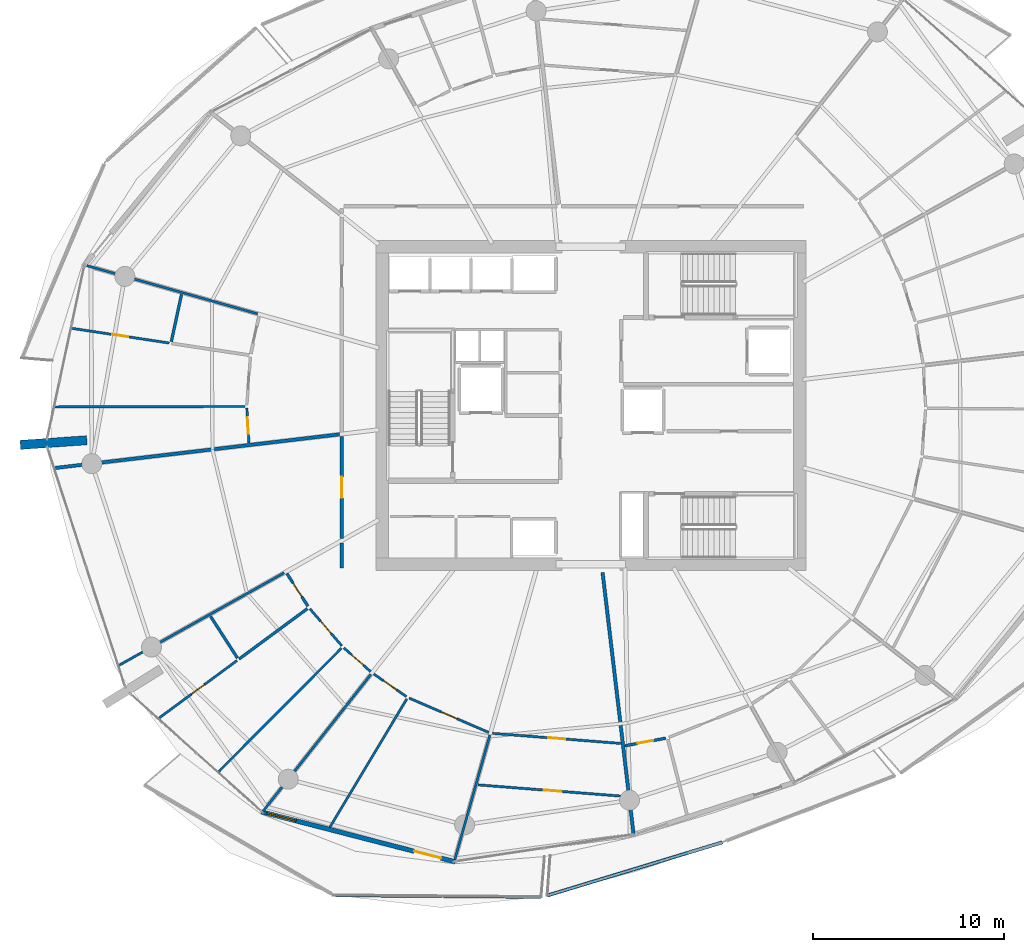
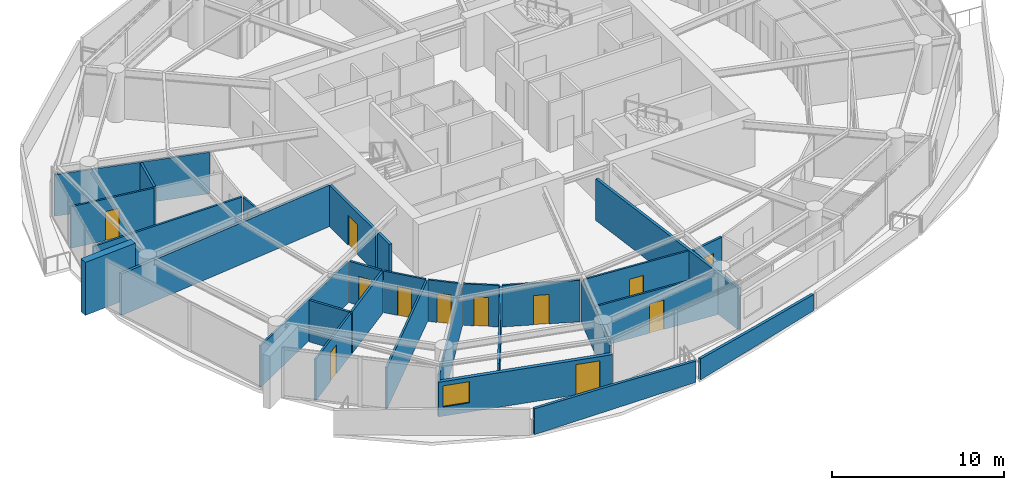
# One storey, part 11 of 20: 29 walls, 13 doors, 1 window, 14 openings.
"""IFC4 building model written with IfcOpenShell, lengths in metres."""

from ifc_helpers import new_model, si_unit, direction, frame, frame_2d, origin, place, context, subcontext, project, spatial, polyline, rectangle, outline, extrude, material, layer, layer_set, type_object, element, fill, save


model = new_model("IFC4")

# Units and contexts
model_context = context("Model", 3, precision=1e-05, world=origin(), true_north=direction((0.0, 1.0)))
body_context = subcontext(model_context, "Body", "Model", "MODEL_VIEW")
ifc_project = project(units=[si_unit("LENGTHUNIT", "METRE"), si_unit("AREAUNIT", "SQUARE_METRE"), si_unit("VOLUMEUNIT", "CUBIC_METRE"), si_unit("PLANEANGLEUNIT", "RADIAN"), si_unit("MASSUNIT", "GRAM", prefix="KILO")], contexts=[model_context])

# Site, building, storey
site_placement = place(None, origin())
site = spatial("IfcSite", under=ifc_project, at=site_placement, CompositionType="ELEMENT")
building_placement = place(site_placement, origin())
building = spatial("IfcBuilding", under=site, at=building_placement, Name="Kazma Halo Residences", CompositionType="ELEMENT")
storey_placement = place(building_placement, frame((0.0, 0.0, 210.300048828125)))
storey = spatial("IfcBuildingStorey", under=building, at=storey_placement, Name="L53", CompositionType="ELEMENT", Elevation=210.300048828125)

# Walls
ifc_material_1 = material(Name="White Concrete C50/60 Balustrade", Category="concrete")
ifc_layer_1 = layer(ifc_material_1, 0.179931640625)
ifc_layer_set_1 = layer_set([ifc_layer_1], Name="White Concrete C50/60 Balustrade")
wall_type_1 = type_object("IfcWallType", Name="WL-BAL-WAVE-180", PredefinedType="PARAPET", material=ifc_layer_set_1)
wall_1_placement = place(storey_placement, frame((35.03564453125, 16.319580078125, 0.0), z_axis=(0.0, 0.0, 1.0), x_axis=(0.999967670182, -0.008041056536, 0.0)))
element("IfcWall", 1, at=wall_1_placement, inside=storey, type_object=wall_type_1, Name="L53 white wave balustrade wall SW.2", PredefinedType="PARAPET", context=body_context, shape_type="SweptSolid", body=[
    extrude(outline(polyline([(0.0, 0.0), (10.7783203125, 0.0), (10.7783203125, 1.4970703125), (5.38916015625, 1.696044921875), (0.0, 1.83203125), (0.0, 0.0)])), frame((0.0, 0.08984375, 0.0), z_axis=(0.0, -1.0, 0.0), x_axis=(1.0, 0.0, 0.0)), (0.0, 0.0, 1.0), 0.179931640625),
])
wall_2_placement = place(storey_placement, frame((46.135009765625, 16.29833984375, 0.0), z_axis=(0.0, 0.0, 1.0), x_axis=(0.956822857871, 0.290671668135, 0.0)))
element("IfcWall", 2, at=wall_2_placement, inside=storey, type_object=wall_type_1, Name="L53 white wave balustrade wall SSE.1", PredefinedType="PARAPET", context=body_context, shape_type="SweptSolid", body=[
    extrude(outline(polyline([(0.0, 0.0), (9.59765625, 0.0), (9.59765625, 1.14794921875), (4.798828125, 1.283935546875), (0.0, 1.48291015625), (0.0, 0.0)])), frame((0.0, 0.08984375, 0.0), z_axis=(0.0, -1.0, 0.0), x_axis=(1.0, 0.0, 0.0)), (0.0, 0.0, 1.0), 0.179931640625),
])
ifc_material_2 = material(Name="Pale Concrete C60/75", Category="concrete")
ifc_layer_2 = layer(ifc_material_2, 0.47998046875)
ifc_layer_set_2 = layer_set([ifc_layer_2], Name="Pale Concrete C60/75")
wall_type_2 = type_object("IfcWallType", Name="WL-BLADE-480", PredefinedType="SOLIDWALL", material=ifc_layer_set_2)
wall_3_placement = place(storey_placement, frame((21.9873046875, 40.180908203125, 0.0), z_axis=(0.0, 0.0, 1.0), x_axis=(-0.997568676264, -0.069690287244, 0.0)))
element("IfcWall", 3, at=wall_3_placement, inside=storey, type_object=wall_type_2, Name="L53 pale concrete structural blade fin wall BW-02", PredefinedType="SOLIDWALL", context=body_context, shape_type="SweptSolid", body=[
    extrude(rectangle(XDim=3.499755859375, YDim=0.47998046875, at=frame_2d((1.75, 0.0))), origin(), (0.0, 0.0, 1.0), 3.75),
])
ifc_material_3 = material(Name="Acoustic Twin-Stud Gypsum")
ifc_layer_3 = layer(ifc_material_3, 0.179931640625)
ifc_layer_set_3 = layer_set([ifc_layer_3], Name="Acoustic Twin-Stud Gypsum")
wall_type_3 = type_object("IfcWallType", Name="WL-DEM-180", PredefinedType="PARTITIONING", material=ifc_layer_set_3)
wall_4_placement = place(storey_placement, frame((35.24072265625, 40.489990234375, 0.0), z_axis=(0.0, 0.0, 1.0), x_axis=(-0.993066731786, -0.117551972417, 0.0)))
element("IfcWall", 4, at=wall_4_placement, inside=storey, type_object=wall_type_3, Name="L53 apartment demising radial wall 07", PredefinedType="PARTITIONING", context=body_context, shape_type="SweptSolid", body=[
    extrude(rectangle(XDim=15.046875, YDim=0.179931640625, at=frame_2d((7.5234375, 0.0))), origin(), (0.0, 0.0, 1.0), 2.93994140625),
])
wall_5_placement = place(storey_placement, frame((49.03662109375, 33.24072265625, 0.0), z_axis=(0.0, 0.0, 1.0), x_axis=(0.11753742895, -0.993068453228, 0.0)))
element("IfcWall", 5, at=wall_5_placement, inside=storey, type_object=wall_type_3, Name="L53 apartment demising radial wall 11", PredefinedType="PARTITIONING", context=body_context, shape_type="SweptSolid", body=[
    extrude(rectangle(XDim=13.81494140625, YDim=0.179931640625, at=frame_2d((6.907470703125, 0.0))), origin(), (0.0, 0.0, 1.0), 2.93994140625),
])

# Wall, opening, door
wall_6_placement = place(storey_placement, frame((35.35009765625, 40.3828125, 0.0), z_axis=(0.0, 0.0, 1.0), x_axis=(0.0, -1.0, 0.0)))
wall_6 = element("IfcWall", 6, at=wall_6_placement, inside=storey, type_object=wall_type_3, Name="L53 Apartment 3 entrance corridor wall", PredefinedType="PARTITIONING", context=body_context, shape_type="SweptSolid", body=[
    extrude(rectangle(XDim=5.34716796875, YDim=0.179931640625, at=frame_2d((2.673583984375, 0.0))), origin(), (0.0, 0.0, 1.0), 2.93994140625),
])
opening_1_placement = place(wall_6_placement, frame((2.12353515625, 0.0, 0.0)))
opening_1 = element("IfcOpeningElement", 7, at=opening_1_placement, cuts=wall_6, Name="Opening DA-1100", PredefinedType="OPENING", context=body_context, shape_type="SweptSolid", body=[
    extrude(rectangle(XDim=1.10009765625, YDim=2.10009765625, at=frame_2d((0.550048828125, 1.050048828125))), frame((0.0, 0.099853515625, 0.0), z_axis=(0.0, -1.0, 0.0), x_axis=(1.0, 0.0, 0.0)), (0.0, 0.0, 1.0), 0.199951171875),
])
ifc_material_4 = material(Name="Acoustic Walnut Fire Leaf")
door_type_1 = type_object("IfcDoorType", Name="DR-FD60-1100", OperationType="NOTDEFINED", PredefinedType="DOOR", material=ifc_material_4)
door_1_placement = place(opening_1_placement, origin())
door_1 = element("IfcDoor", 8, at=door_1_placement, inside=storey, type_object=door_type_1, Name="L53 Apartment 3 entrance fire door", OperationType="SINGLE_SWING_LEFT", OverallHeight=2.10009765625, OverallWidth=1.10009765625, PredefinedType="DOOR", context=body_context, shape_type="SweptSolid", body=[
    extrude(rectangle(XDim=1.10009765625, YDim=2.10009765625, at=frame_2d((0.550048828125, 1.050048828125))), frame((0.0, 0.02490234375, 0.0), z_axis=(0.0, -1.0, 0.0), x_axis=(1.0, 0.0, 0.0)), (0.0, 0.0, 1.0), 0.050048828125),
])
fill(opening_1, door_1)

# Wall
wall_7_placement = place(storey_placement, frame((35.35009765625, 34.795654296875, 0.0), z_axis=(0.0, 0.0, 1.0), x_axis=(0.0, -1.0, 0.0)))
element("IfcWall", 9, at=wall_7_placement, inside=storey, type_object=wall_type_3, Name="L53 Apartment 3 inner wall 8", PredefinedType="PARTITIONING", context=body_context, shape_type="SweptSolid", body=[
    extrude(rectangle(XDim=1.32568359375, YDim=0.179931640625, at=frame_2d((0.662841796875, 0.0))), origin(), (0.0, 0.0, 1.0), 2.93994140625),
])

# Wall, openings, door, window
ifc_material_5 = material(Name="Insulated Pale-Metal Composite Wall")
ifc_layer_4 = layer(ifc_material_5, 0.239990234375)
ifc_layer_set_4 = layer_set([ifc_layer_4], Name="Insulated Pale-Metal Composite Wall")
wall_type_4 = type_object("IfcWallType", Name="WL-EXT-HOST-240", PredefinedType="SOLIDWALL", material=ifc_layer_set_4)
wall_8_placement = place(storey_placement, frame((31.139892578125, 20.68701171875, 0.0), z_axis=(0.0, 0.0, 1.0), x_axis=(0.968374028006, -0.249502989727, 0.0)))
wall_8 = element("IfcWall", 10, at=wall_8_placement, inside=storey, type_object=wall_type_4, Name="L53 exterior terrace-access wall B10", PredefinedType="SOLIDWALL", context=body_context, shape_type="SweptSolid", body=[
    extrude(rectangle(XDim=10.494384765625, YDim=0.239990234375, at=frame_2d((5.2470703125, 0.0))), origin(), (0.0, 0.0, 1.0), 2.449951171875),
])
opening_2_placement = place(wall_8_placement, frame((8.2744140625, 0.0, 0.0)))
opening_2 = element("IfcOpeningElement", 11, at=opening_2_placement, cuts=wall_8, Name="Opening DTR-1600", PredefinedType="OPENING", context=body_context, shape_type="SweptSolid", body=[
    extrude(rectangle(XDim=1.449951171875, YDim=2.14990234375, at=frame_2d((0.72509765625, 1.074951171875))), frame((0.0, 0.1298828125, 0.0), z_axis=(0.0, -1.0, 0.0), x_axis=(1.0, 0.0, 0.0)), (0.0, 0.0, 1.0), 0.260009765625),
])
opening_3_placement = place(wall_8_placement, frame((0.280029296875, 0.0, 0.64990234375)))
opening_3 = element("IfcOpeningElement", 12, at=opening_3_placement, cuts=wall_8, Name="Opening W-1800", PredefinedType="OPENING", context=body_context, shape_type="SweptSolid", body=[
    extrude(rectangle(XDim=1.60009765625, YDim=1.5, at=frame_2d((0.800048828125, 0.75))), frame((0.0, 0.1298828125, 0.0), z_axis=(0.0, -1.0, 0.0), x_axis=(1.0, 0.0, 0.0)), (0.0, 0.0, 1.0), 0.260009765625),
])
ifc_material_6 = material(Name="Aluminium AW-6063 T6 Double-Glazed Terrace Door", Category="aluminium")
door_type_2 = type_object("IfcDoorType", Name="DR-EXT-TERR-1600", OperationType="NOTDEFINED", PredefinedType="DOOR", material=ifc_material_6)
door_2_placement = place(opening_2_placement, origin())
door_2 = element("IfcDoor", 13, at=door_2_placement, inside=storey, type_object=door_type_2, Name="L53 B10 balcony terrace door", OperationType="DOUBLE_DOOR_SLIDING", OverallHeight=2.14990234375, OverallWidth=1.449951171875, PredefinedType="DOOR", context=body_context, shape_type="SweptSolid", body=[
    extrude(rectangle(XDim=1.449951171875, YDim=2.14990234375, at=frame_2d((0.72509765625, 1.074951171875))), frame((0.0, 0.02490234375, 0.0), z_axis=(0.0, -1.0, 0.0), x_axis=(1.0, 0.0, 0.0)), (0.0, 0.0, 1.0), 0.050048828125),
])
fill(opening_2, door_2)
ifc_material_7 = material(Name="Clear Triple-Silver Low-E Glass in Aluminium AW-6063 T6 Frame", Category="aluminium")
window_type = type_object("IfcWindowType", Name="WIN-RES-1800", PartitioningType="DOUBLE_PANEL_VERTICAL", PredefinedType="WINDOW", material=ifc_material_7)
window_placement = place(opening_3_placement, origin())
window = element("IfcWindow", 14, at=window_placement, inside=storey, type_object=window_type, Name="L53 B10 apartment window", OverallHeight=1.5, OverallWidth=1.60009765625, PartitioningType="SINGLE_PANEL", PredefinedType="WINDOW", context=body_context, shape_type="SweptSolid", body=[
    extrude(rectangle(XDim=1.60009765625, YDim=1.5, at=frame_2d((0.800048828125, 0.75))), frame((0.0, 0.030029296875, 0.0), z_axis=(0.0, -1.0, 0.0), x_axis=(1.0, 0.0, 0.0)), (0.0, 0.0, 1.0), 0.06005859375),
])
fill(opening_3, window)

# Wall
ifc_material_8 = material(Name="Gypsum Plasterboard Partition")
ifc_layer_5 = layer(ifc_material_8, 0.125)
ifc_layer_set_5 = layer_set([ifc_layer_5], Name="Gypsum Plasterboard Partition")
wall_type_5 = type_object("IfcWallType", Name="WL-PART-125", PredefinedType="PARTITIONING", material=ifc_layer_set_5)
wall_9_placement = place(storey_placement, frame((30.9375, 46.81201171875, 0.0), z_axis=(0.0, 0.0, 1.0), x_axis=(-0.962450379274, 0.271457671534, 0.0)))
element("IfcWall", 15, at=wall_9_placement, inside=storey, type_object=wall_type_5, Name="L53 Apartment 2 radial partition 6", PredefinedType="PARTITIONING", context=body_context, shape_type="SweptSolid", body=[
    extrude(rectangle(XDim=9.30224609375, YDim=0.125, at=frame_2d((4.651123046875, 0.0))), origin(), (0.0, 0.0, 1.0), 2.93994140625),
])

# Wall, opening, door
wall_10_placement = place(storey_placement, frame((26.308349609375, 45.27880859375, 0.0), z_axis=(0.0, 0.0, 1.0), x_axis=(-0.988774568821, 0.149415032888, 0.0)))
wall_10 = element("IfcWall", 16, at=wall_10_placement, inside=storey, type_object=wall_type_5, Name="L53 Apartment 2 Household Store Room partition wall", PredefinedType="PARTITIONING", context=body_context, shape_type="SweptSolid", body=[
    extrude(rectangle(XDim=5.18798828125, YDim=0.125, at=frame_2d((2.593994140625, 0.0))), origin(), (0.0, 0.0, 1.0), 2.93994140625),
])
opening_4_placement = place(wall_10_placement, frame((2.1689453125, 0.0, 0.0)))
opening_4 = element("IfcOpeningElement", 17, at=opening_4_placement, cuts=wall_10, Name="Opening DB-900", PredefinedType="OPENING", context=body_context, shape_type="SweptSolid", body=[
    extrude(rectangle(XDim=0.85009765625, YDim=2.06005859375, at=frame_2d((0.425048828125, 1.030029296875))), frame((0.0, 0.072509765625, 0.0), z_axis=(0.0, -1.0, 0.0), x_axis=(1.0, 0.0, 0.0)), (0.0, 0.0, 1.0), 0.14501953125),
])
ifc_material_9 = material(Name="Moisture-Sealed Timber Leaf", Category="wood")
door_type_3 = type_object("IfcDoorType", Name="DR-BTH-900", OperationType="NOTDEFINED", PredefinedType="DOOR", material=ifc_material_9)
door_3_placement = place(opening_4_placement, origin())
door_3 = element("IfcDoor", 18, at=door_3_placement, inside=storey, type_object=door_type_3, Name="L53 Apartment 2 Household Store Room door", OperationType="SINGLE_SWING_LEFT", OverallHeight=2.06005859375, OverallWidth=0.85009765625, PredefinedType="DOOR", context=body_context, shape_type="SweptSolid", body=[
    extrude(rectangle(XDim=0.85009765625, YDim=2.06005859375, at=frame_2d((0.425048828125, 1.030029296875))), frame((0.0, 0.02490234375, 0.0), z_axis=(0.0, -1.0, 0.0), x_axis=(1.0, 0.0, 0.0)), (0.0, 0.0, 1.0), 0.050048828125),
])
fill(opening_4, door_3)

# Wall
wall_11_placement = place(storey_placement, frame((30.281982421875, 41.953125, 0.0), z_axis=(0.0, 0.0, 1.0), x_axis=(-0.999996516225, -0.002639609526, 0.0)))
element("IfcWall", 19, at=wall_11_placement, inside=storey, type_object=wall_type_5, Name="L53 Apartment 2 suite divider 6", PredefinedType="PARTITIONING", context=body_context, shape_type="SweptSolid", body=[
    extrude(rectangle(XDim=9.989013671875, YDim=0.125, at=frame_2d((4.99462890625, 0.0))), origin(), (0.0, 0.0, 1.0), 2.93994140625),
])

# Wall, opening, door
wall_12_placement = place(storey_placement, frame((30.376953125, 41.873291015625, 0.0), z_axis=(0.0, 0.0, 1.0), x_axis=(0.060215971637, -0.998185371942, 0.0)))
wall_12 = element("IfcWall", 20, at=wall_12_placement, inside=storey, type_object=wall_type_5, Name="L53 Apartment 2 Primary Bedroom hall wall", PredefinedType="PARTITIONING", context=body_context, shape_type="SweptSolid", body=[
    extrude(rectangle(XDim=1.848876953125, YDim=0.125, at=frame_2d((0.92431640625, 0.0))), origin(), (0.0, 0.0, 1.0), 2.93994140625),
])
opening_5_placement = place(wall_12_placement, frame((0.49951171875, 0.0, 0.0)))
opening_5 = element("IfcOpeningElement", 21, at=opening_5_placement, cuts=wall_12, Name="Opening DB-900", PredefinedType="OPENING", context=body_context, shape_type="SweptSolid", body=[
    extrude(rectangle(XDim=0.85009765625, YDim=2.06005859375, at=frame_2d((0.425048828125, 1.030029296875))), frame((0.0, 0.072509765625, 0.0), z_axis=(0.0, -1.0, 0.0), x_axis=(1.0, 0.0, 0.0)), (0.0, 0.0, 1.0), 0.14501953125),
])
door_4_placement = place(opening_5_placement, origin())
door_4 = element("IfcDoor", 22, at=door_4_placement, inside=storey, type_object=door_type_3, Name="L53 Apartment 2 Primary Bedroom door", OperationType="SINGLE_SWING_LEFT", OverallHeight=2.06005859375, OverallWidth=0.85009765625, PredefinedType="DOOR", context=body_context, shape_type="SweptSolid", body=[
    extrude(rectangle(XDim=0.85009765625, YDim=2.06005859375, at=frame_2d((0.425048828125, 1.030029296875))), frame((0.0, 0.02490234375, 0.0), z_axis=(0.0, -1.0, 0.0), x_axis=(1.0, 0.0, 0.0)), (0.0, 0.0, 1.0), 0.050048828125),
])
fill(opening_5, door_4)

# Wall
wall_13_placement = place(storey_placement, frame((32.33447265625, 33.226806640625, 0.0), z_axis=(0.0, 0.0, 1.0), x_axis=(-0.872500152392, -0.488613839424, 0.0)))
element("IfcWall", 23, at=wall_13_placement, inside=storey, type_object=wall_type_5, Name="L53 Apartment 3 radial partition 8", PredefinedType="PARTITIONING", context=body_context, shape_type="SweptSolid", body=[
    extrude(rectangle(XDim=9.940185546875, YDim=0.125, at=frame_2d((4.97021484375, 0.0))), origin(), (0.0, 0.0, 1.0), 2.93994140625),
])

# Wall, opening, door
wall_14_placement = place(storey_placement, frame((29.86279296875, 28.625732421875, 0.0), z_axis=(0.0, 0.0, 1.0), x_axis=(-0.804842237675, -0.593488814094, 0.0)))
wall_14 = element("IfcWall", 24, at=wall_14_placement, inside=storey, type_object=wall_type_5, Name="L53 Apartment 3 Utility Laundry Room partition wall", PredefinedType="PARTITIONING", context=body_context, shape_type="SweptSolid", body=[
    extrude(rectangle(XDim=5.114990234375, YDim=0.125, at=frame_2d((2.5576171875, 0.0))), origin(), (0.0, 0.0, 1.0), 2.93994140625),
])
opening_6_placement = place(wall_14_placement, frame((2.132568359375, 0.0, 0.0)))
opening_6 = element("IfcOpeningElement", 25, at=opening_6_placement, cuts=wall_14, Name="Opening DB-900", PredefinedType="OPENING", context=body_context, shape_type="SweptSolid", body=[
    extrude(rectangle(XDim=0.85009765625, YDim=2.06005859375, at=frame_2d((0.425048828125, 1.030029296875))), frame((0.0, 0.072509765625, 0.0), z_axis=(0.0, -1.0, 0.0), x_axis=(1.0, 0.0, 0.0)), (0.0, 0.0, 1.0), 0.14501953125),
])
door_5_placement = place(opening_6_placement, origin())
door_5 = element("IfcDoor", 26, at=door_5_placement, inside=storey, type_object=door_type_3, Name="L53 Apartment 3 Utility Laundry Room door", OperationType="SINGLE_SWING_LEFT", OverallHeight=2.06005859375, OverallWidth=0.85009765625, PredefinedType="DOOR", context=body_context, shape_type="SweptSolid", body=[
    extrude(rectangle(XDim=0.85009765625, YDim=2.06005859375, at=frame_2d((0.425048828125, 1.030029296875))), frame((0.0, 0.02490234375, 0.0), z_axis=(0.0, -1.0, 0.0), x_axis=(1.0, 0.0, 0.0)), (0.0, 0.0, 1.0), 0.050048828125),
])
fill(opening_6, door_5)

# Wall
wall_15_placement = place(storey_placement, frame((35.344482421875, 29.27734375, 0.0), z_axis=(0.0, 0.0, 1.0), x_axis=(-0.705226489462, -0.708982086206, 0.0)))
element("IfcWall", 27, at=wall_15_placement, inside=storey, type_object=wall_type_5, Name="L53 Apartment 3 suite divider 8", PredefinedType="PARTITIONING", context=body_context, shape_type="SweptSolid", body=[
    extrude(rectangle(XDim=9.166015625, YDim=0.125, at=frame_2d((4.5830078125, 0.0))), origin(), (0.0, 0.0, 1.0), 2.93994140625),
])

# Wall, opening, door
wall_16_placement = place(storey_placement, frame((33.688232421875, 31.335205078125, 0.0), z_axis=(0.0, 0.0, 1.0), x_axis=(0.653119308398, -0.757255022431, 0.0)))
wall_16 = element("IfcWall", 28, at=wall_16_placement, inside=storey, type_object=wall_type_5, Name="L53 Apartment 3 Gourmet Kitchen hall wall", PredefinedType="PARTITIONING", context=body_context, shape_type="SweptSolid", body=[
    extrude(rectangle(XDim=2.55322265625, YDim=0.125, at=frame_2d((1.276611328125, 0.0))), origin(), (0.0, 0.0, 1.0), 2.93994140625),
])
opening_7_placement = place(wall_16_placement, frame((0.8515625, 0.0, 0.0)))
opening_7 = element("IfcOpeningElement", 29, at=opening_7_placement, cuts=wall_16, Name="Opening DB-900", PredefinedType="OPENING", context=body_context, shape_type="SweptSolid", body=[
    extrude(rectangle(XDim=0.85009765625, YDim=2.06005859375, at=frame_2d((0.425048828125, 1.030029296875))), frame((0.0, 0.072509765625, 0.0), z_axis=(0.0, -1.0, 0.0), x_axis=(1.0, 0.0, 0.0)), (0.0, 0.0, 1.0), 0.14501953125),
])
door_6_placement = place(opening_7_placement, origin())
door_6 = element("IfcDoor", 30, at=door_6_placement, inside=storey, type_object=door_type_3, Name="L53 Apartment 3 Gourmet Kitchen door", OperationType="SINGLE_SWING_RIGHT", OverallHeight=2.06005859375, OverallWidth=0.85009765625, PredefinedType="DOOR", context=body_context, shape_type="SweptSolid", body=[
    extrude(rectangle(XDim=0.85009765625, YDim=2.06005859375, at=frame_2d((0.425048828125, 1.030029296875))), frame((0.0, 0.02490234375, 0.0), z_axis=(0.0, -1.0, 0.0), x_axis=(1.0, 0.0, 0.0)), (0.0, 0.0, 1.0), 0.050048828125),
])
fill(opening_7, door_6)

wall_17_placement = place(storey_placement, frame((35.468017578125, 29.2880859375, 0.0), z_axis=(0.0, 0.0, 1.0), x_axis=(0.748399816021, -0.663247853656, 0.0)))
wall_17 = element("IfcWall", 31, at=wall_17_placement, inside=storey, type_object=wall_type_5, Name="L53 Apartment 3 Primary Bedroom hall wall", PredefinedType="PARTITIONING", context=body_context, shape_type="SweptSolid", body=[
    extrude(rectangle(XDim=1.875, YDim=0.125, at=frame_2d((0.9375, 0.0))), origin(), (0.0, 0.0, 1.0), 2.93994140625),
])
opening_8_placement = place(wall_17_placement, frame((0.512451171875, 0.0, 0.0)))
opening_8 = element("IfcOpeningElement", 32, at=opening_8_placement, cuts=wall_17, Name="Opening DB-900", PredefinedType="OPENING", context=body_context, shape_type="SweptSolid", body=[
    extrude(rectangle(XDim=0.85009765625, YDim=2.06005859375, at=frame_2d((0.425048828125, 1.030029296875))), frame((0.0, 0.072509765625, 0.0), z_axis=(0.0, -1.0, 0.0), x_axis=(1.0, 0.0, 0.0)), (0.0, 0.0, 1.0), 0.14501953125),
])
door_7_placement = place(opening_8_placement, origin())
door_7 = element("IfcDoor", 33, at=door_7_placement, inside=storey, type_object=door_type_3, Name="L53 Apartment 3 Primary Bedroom door", OperationType="SINGLE_SWING_LEFT", OverallHeight=2.06005859375, OverallWidth=0.85009765625, PredefinedType="DOOR", context=body_context, shape_type="SweptSolid", body=[
    extrude(rectangle(XDim=0.85009765625, YDim=2.06005859375, at=frame_2d((0.425048828125, 1.030029296875))), frame((0.0, 0.02490234375, 0.0), z_axis=(0.0, -1.0, 0.0), x_axis=(1.0, 0.0, 0.0)), (0.0, 0.0, 1.0), 0.050048828125),
])
fill(opening_8, door_7)

# Walls
wall_18_placement = place(storey_placement, frame((36.88427734375, 27.899658203125, 0.0), z_axis=(0.0, 0.0, 1.0), x_axis=(-0.619094580594, -0.785316433216, 0.0)))
element("IfcWall", 34, at=wall_18_placement, inside=storey, type_object=wall_type_5, Name="L53 Apartment 3 radial partition 9", PredefinedType="PARTITIONING", context=body_context, shape_type="SweptSolid", body=[
    extrude(rectangle(XDim=9.17529296875, YDim=0.125, at=frame_2d((4.587646484375, 0.0))), origin(), (0.0, 0.0, 1.0), 2.93994140625),
])
wall_19_placement = place(storey_placement, frame((38.768310546875, 26.61181640625, 0.0), z_axis=(0.0, 0.0, 1.0), x_axis=(-0.514431677275, -0.857531369348, 0.0)))
element("IfcWall", 35, at=wall_19_placement, inside=storey, type_object=wall_type_5, Name="L53 Apartment 3 mid-bay wall 9", PredefinedType="PARTITIONING", context=body_context, shape_type="SweptSolid", body=[
    extrude(rectangle(XDim=7.844482421875, YDim=0.125, at=frame_2d((3.92236328125, 0.0))), origin(), (0.0, 0.0, 1.0), 2.93994140625),
])

# Wall, opening, door
wall_20_placement = place(storey_placement, frame((37.0283203125, 27.92138671875, 0.0), z_axis=(0.0, 0.0, 1.0), x_axis=(0.823103592367, -0.567891253879, 0.0)))
wall_20 = element("IfcWall", 36, at=wall_20_placement, inside=storey, type_object=wall_type_5, Name="L53 Apartment 3 Primary Private Study hall wall", PredefinedType="PARTITIONING", context=body_context, shape_type="SweptSolid", body=[
    extrude(rectangle(XDim=2.090087890625, YDim=0.125, at=frame_2d((1.044921875, 0.0))), origin(), (0.0, 0.0, 1.0), 2.93994140625),
])
opening_9_placement = place(wall_20_placement, frame((0.6201171875, 0.0, 0.0)))
opening_9 = element("IfcOpeningElement", 37, at=opening_9_placement, cuts=wall_20, Name="Opening DB-900", PredefinedType="OPENING", context=body_context, shape_type="SweptSolid", body=[
    extrude(rectangle(XDim=0.85009765625, YDim=2.06005859375, at=frame_2d((0.425048828125, 1.030029296875))), frame((0.0, 0.072509765625, 0.0), z_axis=(0.0, -1.0, 0.0), x_axis=(1.0, 0.0, 0.0)), (0.0, 0.0, 1.0), 0.14501953125),
])
door_8_placement = place(opening_9_placement, origin())
door_8 = element("IfcDoor", 38, at=door_8_placement, inside=storey, type_object=door_type_3, Name="L53 Apartment 3 Primary Private Study door", OperationType="SINGLE_SWING_LEFT", OverallHeight=2.06005859375, OverallWidth=0.85009765625, PredefinedType="DOOR", context=body_context, shape_type="SweptSolid", body=[
    extrude(rectangle(XDim=0.85009765625, YDim=2.06005859375, at=frame_2d((0.425048828125, 1.030029296875))), frame((0.0, 0.02490234375, 0.0), z_axis=(0.0, -1.0, 0.0), x_axis=(1.0, 0.0, 0.0)), (0.0, 0.0, 1.0), 0.050048828125),
])
fill(opening_9, door_8)

wall_21_placement = place(storey_placement, frame((38.88818359375, 26.6572265625, 0.0), z_axis=(0.0, 0.0, 1.0), x_axis=(0.918052580004, -0.396458648976, 0.0)))
wall_21 = element("IfcWall", 39, at=wall_21_placement, inside=storey, type_object=wall_type_5, Name="L53 Apartment 3 Secondary Master Bedroom hall wall", PredefinedType="PARTITIONING", context=body_context, shape_type="SweptSolid", body=[
    extrude(rectangle(XDim=4.5458984375, YDim=0.125, at=frame_2d((2.27294921875, 0.0))), origin(), (0.0, 0.0, 1.0), 2.93994140625),
])
opening_10_placement = place(wall_21_placement, frame((1.822998046875, 0.0, 0.0)))
opening_10 = element("IfcOpeningElement", 40, at=opening_10_placement, cuts=wall_21, Name="Opening DI-950", PredefinedType="OPENING", context=body_context, shape_type="SweptSolid", body=[
    extrude(rectangle(XDim=0.89990234375, YDim=2.080078125, at=frame_2d((0.449951171875, 1.0400390625))), frame((0.0, 0.072509765625, 0.0), z_axis=(0.0, -1.0, 0.0), x_axis=(1.0, 0.0, 0.0)), (0.0, 0.0, 1.0), 0.14501953125),
])
ifc_material_10 = material(Name="Timber Veneer Flush Leaf", Category="wood")
door_type_4 = type_object("IfcDoorType", Name="DR-INT-950", OperationType="NOTDEFINED", PredefinedType="DOOR", material=ifc_material_10)
door_9_placement = place(opening_10_placement, origin())
door_9 = element("IfcDoor", 41, at=door_9_placement, inside=storey, type_object=door_type_4, Name="L53 Apartment 3 Secondary Master Bedroom door", OperationType="SINGLE_SWING_RIGHT", OverallHeight=2.080078125, OverallWidth=0.89990234375, PredefinedType="DOOR", context=body_context, shape_type="SweptSolid", body=[
    extrude(rectangle(XDim=0.89990234375, YDim=2.080078125, at=frame_2d((0.449951171875, 1.0400390625))), frame((0.0, 0.02490234375, 0.0), z_axis=(0.0, -1.0, 0.0), x_axis=(1.0, 0.0, 0.0)), (0.0, 0.0, 1.0), 0.050048828125),
])
fill(opening_10, door_9)

# Wall
wall_22_placement = place(storey_placement, frame((43.126220703125, 24.71923828125, 0.0), z_axis=(0.0, 0.0, 1.0), x_axis=(-0.271429339147, -0.962458369931, 0.0)))
element("IfcWall", 42, at=wall_22_placement, inside=storey, type_object=wall_type_5, Name="L53 Apartment 3 radial partition 10", PredefinedType="PARTITIONING", context=body_context, shape_type="SweptSolid", body=[
    extrude(rectangle(XDim=6.77197265625, YDim=0.125, at=frame_2d((3.385986328125, 0.0))), origin(), (0.0, 0.0, 1.0), 2.93994140625),
])

# Wall, opening, door
wall_23_placement = place(storey_placement, frame((43.26318359375, 24.806884765625, 0.0), z_axis=(0.0, 0.0, 1.0), x_axis=(0.996914936791, -0.078489545824, 0.0)))
wall_23 = element("IfcWall", 43, at=wall_23_placement, inside=storey, type_object=wall_type_5, Name="L53 Apartment 3 East Study hall wall", PredefinedType="PARTITIONING", context=body_context, shape_type="SweptSolid", body=[
    extrude(rectangle(XDim=6.74658203125, YDim=0.125, at=frame_2d((3.373291015625, 0.0))), origin(), (0.0, 0.0, 1.0), 2.93994140625),
])
opening_11_placement = place(wall_23_placement, frame((2.92333984375, 0.0, 0.0)))
opening_11 = element("IfcOpeningElement", 44, at=opening_11_placement, cuts=wall_23, Name="Opening DI-950", PredefinedType="OPENING", context=body_context, shape_type="SweptSolid", body=[
    extrude(rectangle(XDim=0.89990234375, YDim=2.080078125, at=frame_2d((0.449951171875, 1.0400390625))), frame((0.0, 0.072509765625, 0.0), z_axis=(0.0, -1.0, 0.0), x_axis=(1.0, 0.0, 0.0)), (0.0, 0.0, 1.0), 0.14501953125),
])
door_10_placement = place(opening_11_placement, origin())
door_10 = element("IfcDoor", 45, at=door_10_placement, inside=storey, type_object=door_type_4, Name="L53 Apartment 3 East Study door", OperationType="SINGLE_SWING_RIGHT", OverallHeight=2.080078125, OverallWidth=0.89990234375, PredefinedType="DOOR", context=body_context, shape_type="SweptSolid", body=[
    extrude(rectangle(XDim=0.89990234375, YDim=2.080078125, at=frame_2d((0.449951171875, 1.0400390625))), frame((0.0, 0.02490234375, 0.0), z_axis=(0.0, -1.0, 0.0), x_axis=(1.0, 0.0, 0.0)), (0.0, 0.0, 1.0), 0.050048828125),
])
fill(opening_11, door_10)

wall_24_placement = place(storey_placement, frame((42.501220703125, 22.10498046875, 0.0), z_axis=(0.0, 0.0, 1.0), x_axis=(0.996917595152, -0.078455774017, 0.0)))
wall_24 = element("IfcWall", 46, at=wall_24_placement, inside=storey, type_object=wall_type_5, Name="L53 Apartment 3 West Bedroom divider wall", PredefinedType="PARTITIONING", context=body_context, shape_type="SweptSolid", body=[
    extrude(rectangle(XDim=7.841796875, YDim=0.125, at=frame_2d((3.9208984375, 0.0))), origin(), (0.0, 0.0, 1.0), 2.93994140625),
])
opening_12_placement = place(wall_24_placement, frame((3.470947265625, 0.0, 0.0)))
opening_12 = element("IfcOpeningElement", 47, at=opening_12_placement, cuts=wall_24, Name="Opening DI-950", PredefinedType="OPENING", context=body_context, shape_type="SweptSolid", body=[
    extrude(rectangle(XDim=0.89990234375, YDim=2.080078125, at=frame_2d((0.449951171875, 1.0400390625))), frame((0.0, 0.072509765625, 0.0), z_axis=(0.0, -1.0, 0.0), x_axis=(1.0, 0.0, 0.0)), (0.0, 0.0, 1.0), 0.14501953125),
])
door_11_placement = place(opening_12_placement, origin())
door_11 = element("IfcDoor", 48, at=door_11_placement, inside=storey, type_object=door_type_4, Name="L53 Apartment 3 West Bedroom door", OperationType="SINGLE_SWING_LEFT", OverallHeight=2.080078125, OverallWidth=0.89990234375, PredefinedType="DOOR", context=body_context, shape_type="SweptSolid", body=[
    extrude(rectangle(XDim=0.89990234375, YDim=2.080078125, at=frame_2d((0.449951171875, 1.0400390625))), frame((0.0, 0.02490234375, 0.0), z_axis=(0.0, -1.0, 0.0), x_axis=(1.0, 0.0, 0.0)), (0.0, 0.0, 1.0), 0.050048828125),
])
fill(opening_12, door_11)

# Wall
ifc_material_11 = material(Name="Moisture-Resistant Gypsum")
ifc_layer_6 = layer(ifc_material_11, 0.14990234375)
ifc_layer_set_6 = layer_set([ifc_layer_6], Name="Moisture-Resistant Gypsum")
wall_type_6 = type_object("IfcWallType", Name="WL-WET-150", PredefinedType="PARTITIONING", material=ifc_layer_set_6)
wall_25_placement = place(storey_placement, frame((26.951171875, 47.83251953125, 0.0), z_axis=(0.0, 0.0, 1.0), x_axis=(-0.210810818757, -0.977526878758, 0.0)))
element("IfcWall", 49, at=wall_25_placement, inside=storey, type_object=wall_type_6, Name="L53 Apartment 2 Guest Bathroom back wall", PredefinedType="PARTITIONING", context=body_context, shape_type="SweptSolid", body=[
    extrude(rectangle(XDim=2.5361328125, YDim=0.14990234375, at=frame_2d((1.26806640625, 0.0))), origin(), (0.0, 0.0, 1.0), 2.93994140625),
])

# Wall, opening, door
wall_26_placement = place(storey_placement, frame((32.475830078125, 33.191650390625, 0.0), z_axis=(0.0, 0.0, 1.0), x_axis=(0.542143239932, -0.840286086637, 0.0)))
wall_26 = element("IfcWall", 50, at=wall_26_placement, inside=storey, type_object=wall_type_6, Name="L53 Apartment 3 Guest Bathroom hall wall", PredefinedType="PARTITIONING", context=body_context, shape_type="SweptSolid", body=[
    extrude(rectangle(XDim=2.0380859375, YDim=0.14990234375, at=frame_2d((1.01904296875, 0.0))), origin(), (0.0, 0.0, 1.0), 2.93994140625),
])
opening_13_placement = place(wall_26_placement, frame((0.593994140625, 0.0, 0.0)))
opening_13 = element("IfcOpeningElement", 51, at=opening_13_placement, cuts=wall_26, Name="Opening DB-900", PredefinedType="OPENING", context=body_context, shape_type="SweptSolid", body=[
    extrude(rectangle(XDim=0.85009765625, YDim=2.06005859375, at=frame_2d((0.425048828125, 1.030029296875))), frame((0.0, 0.0849609375, 0.0), z_axis=(0.0, -1.0, 0.0), x_axis=(1.0, 0.0, 0.0)), (0.0, 0.0, 1.0), 0.169921875),
])
door_12_placement = place(opening_13_placement, origin())
door_12 = element("IfcDoor", 52, at=door_12_placement, inside=storey, type_object=door_type_3, Name="L53 Apartment 3 Guest Bathroom door", OperationType="SINGLE_SWING_RIGHT", OverallHeight=2.06005859375, OverallWidth=0.85009765625, PredefinedType="DOOR", context=body_context, shape_type="SweptSolid", body=[
    extrude(rectangle(XDim=0.85009765625, YDim=2.06005859375, at=frame_2d((0.425048828125, 1.030029296875))), frame((0.0, 0.02490234375, 0.0), z_axis=(0.0, -1.0, 0.0), x_axis=(1.0, 0.0, 0.0)), (0.0, 0.0, 1.0), 0.050048828125),
])
fill(opening_13, door_12)

# Walls
wall_27_placement = place(storey_placement, frame((28.470947265625, 30.948974609375, 0.0), z_axis=(0.0, 0.0, 1.0), x_axis=(0.542080018781, -0.840326872853, 0.0)))
element("IfcWall", 53, at=wall_27_placement, inside=storey, type_object=wall_type_6, Name="L53 Apartment 3 Guest Bathroom back wall", PredefinedType="PARTITIONING", context=body_context, shape_type="SweptSolid", body=[
    extrude(rectangle(XDim=2.611328125, YDim=0.14990234375, at=frame_2d((1.3056640625, 0.0))), origin(), (0.0, 0.0, 1.0), 2.93994140625),
])
wall_28_placement = place(storey_placement, frame((33.55712890625, 31.349853515625, 0.0), z_axis=(0.0, 0.0, 1.0), x_axis=(-0.804841149106, -0.593490290322, 0.0)))
element("IfcWall", 54, at=wall_28_placement, inside=storey, type_object=wall_type_6, Name="L53 Apartment 3 Guest Bathroom side wall", PredefinedType="PARTITIONING", context=body_context, shape_type="SweptSolid", body=[
    extrude(rectangle(XDim=4.4599609375, YDim=0.14990234375, at=frame_2d((2.22998046875, 0.0))), origin(), (0.0, 0.0, 1.0), 2.93994140625),
])

# Wall, opening, door
wall_29_placement = place(storey_placement, frame((50.21240234375, 24.156005859375, 0.0), z_axis=(0.0, 0.0, 1.0), x_axis=(0.983198523617, 0.182539483832, 0.0)))
wall_29 = element("IfcWall", 55, at=wall_29_placement, inside=storey, type_object=wall_type_6, Name="L53 Apartment 4 Guest Bathroom hall wall", PredefinedType="PARTITIONING", context=body_context, shape_type="SweptSolid", body=[
    extrude(rectangle(XDim=2.1748046875, YDim=0.14990234375, at=frame_2d((1.08740234375, 0.0))), origin(), (0.0, 0.0, 1.0), 2.93994140625),
])
opening_14_placement = place(wall_29_placement, frame((0.662353515625, 0.0, 0.0)))
opening_14 = element("IfcOpeningElement", 56, at=opening_14_placement, cuts=wall_29, Name="Opening DB-900", PredefinedType="OPENING", context=body_context, shape_type="SweptSolid", body=[
    extrude(rectangle(XDim=0.85009765625, YDim=2.06005859375, at=frame_2d((0.425048828125, 1.030029296875))), frame((0.0, 0.0849609375, 0.0), z_axis=(0.0, -1.0, 0.0), x_axis=(1.0, 0.0, 0.0)), (0.0, 0.0, 1.0), 0.169921875),
])
door_13_placement = place(opening_14_placement, origin())
door_13 = element("IfcDoor", 57, at=door_13_placement, inside=storey, type_object=door_type_3, Name="L53 Apartment 4 Guest Bathroom door", OperationType="SINGLE_SWING_LEFT", OverallHeight=2.06005859375, OverallWidth=0.85009765625, PredefinedType="DOOR", context=body_context, shape_type="SweptSolid", body=[
    extrude(rectangle(XDim=0.85009765625, YDim=2.06005859375, at=frame_2d((0.425048828125, 1.030029296875))), frame((0.0, 0.02490234375, 0.0), z_axis=(0.0, -1.0, 0.0), x_axis=(1.0, 0.0, 0.0)), (0.0, 0.0, 1.0), 0.050048828125),
])
fill(opening_14, door_13)

save(model, "model.ifc")
